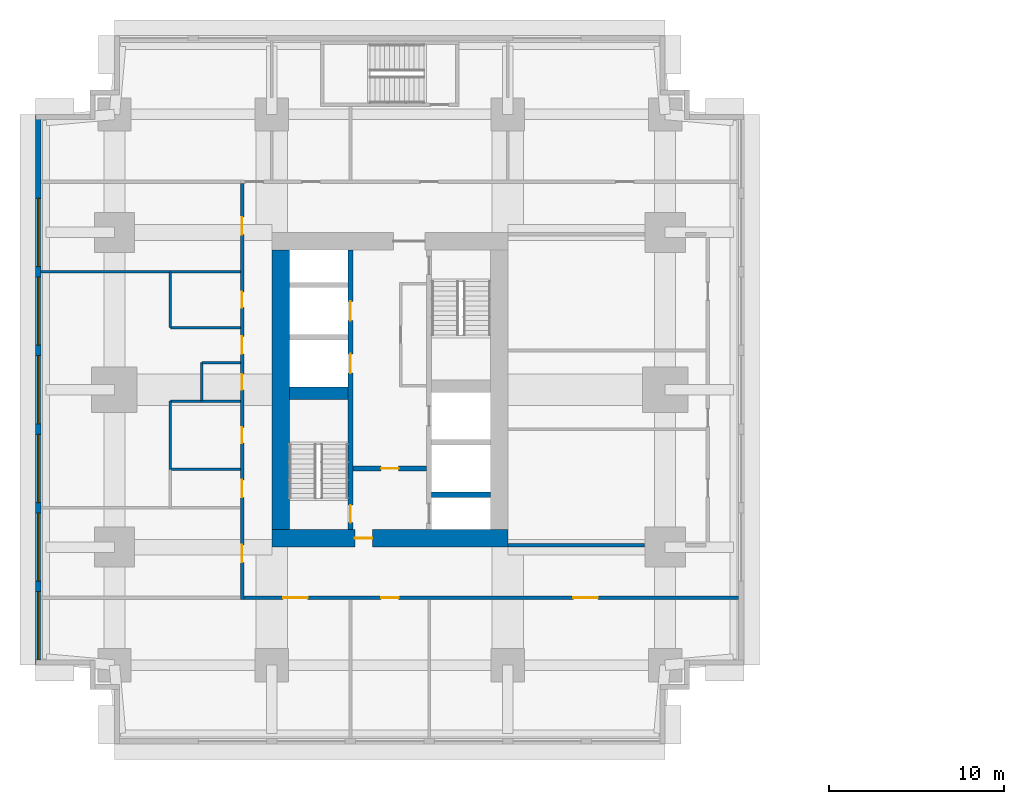
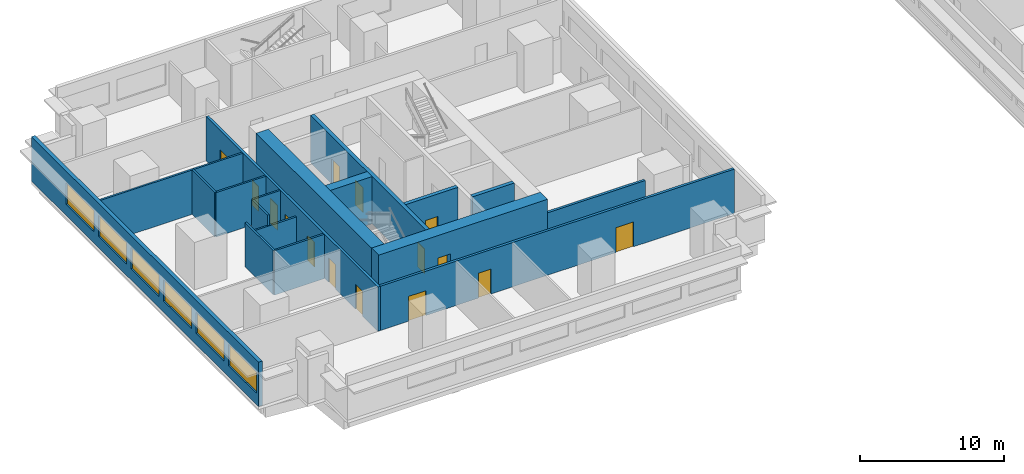
# One storey, part 3 of 11: 18 walls, 15 doors, 6 windows, 21 openings.
"""IFC4 building model written with IfcOpenShell, lengths in metres."""

from ifc_helpers import new_model, si_unit, direction, frame, frame_2d, origin, place, context, subcontext, project, spatial, rectangle, extrude, material, layer, layer_set, type_object, element, fill, save


model = new_model("IFC4")

# Units and contexts
model_context = context("Model", 3, precision=1e-05, world=origin(), true_north=direction((0.0, 1.0)))
body_context = subcontext(model_context, "Body", "Model", "MODEL_VIEW")
ifc_project = project(units=[si_unit("LENGTHUNIT", "METRE"), si_unit("AREAUNIT", "SQUARE_METRE"), si_unit("VOLUMEUNIT", "CUBIC_METRE"), si_unit("PLANEANGLEUNIT", "RADIAN"), si_unit("MASSUNIT", "GRAM", prefix="KILO")], contexts=[model_context])

# Site, building, storey
site_placement = place(None, origin())
site = spatial("IfcSite", under=ifc_project, at=site_placement, CompositionType="ELEMENT")
building_placement = place(site_placement, origin())
building = spatial("IfcBuilding", under=site, at=building_placement, Name="Namib Vertical Campus", CompositionType="ELEMENT")
storey_placement = place(building_placement, frame((0.0, 0.0, 97.0)))
storey = spatial("IfcBuildingStorey", under=building, at=storey_placement, Name="L22", CompositionType="ELEMENT", Elevation=97.0)

# Wall, openings, doors
ifc_material_1 = material(Name="Concrete C60/75", Category="concrete")
ifc_layer_1 = layer(ifc_material_1, 0.300048828125)
ifc_layer_set_1 = layer_set([ifc_layer_1], Name="Concrete C60/75")
wall_type_1 = type_object("IfcWallType", Name="Core inner wall 300", PredefinedType="SHEAR", material=ifc_layer_set_1)
wall_1_placement = place(storey_placement, frame((18.0, 12.25, 0.0), z_axis=(0.0, 0.0, 1.0), x_axis=(0.0, 1.0, 0.0)))
wall_1 = element("IfcWall", 1, at=wall_1_placement, inside=storey, type_object=wall_type_1, Name="Core inner wall A L22 W1", PredefinedType="SHEAR", context=body_context, shape_type="SweptSolid", body=[
    extrude(rectangle(XDim=16.0, YDim=0.300048828125, at=frame_2d((8.0, 0.0))), origin(), (0.0, 0.0, 1.0), 4.0),
])
opening_1_placement = place(wall_1_placement, frame((0.39990234375, 0.0, 0.0)))
opening_1 = element("IfcOpeningElement", 2, at=opening_1_placement, cuts=wall_1, Name="Opening FD1", PredefinedType="OPENING", context=body_context, shape_type="SweptSolid", body=[
    extrude(rectangle(XDim=1.0, YDim=2.10009765625, at=frame_2d((0.5, 1.050048828125))), frame((0.0, 0.159912109375, 0.0), z_axis=(0.0, -1.0, 0.0), x_axis=(1.0, 0.0, 0.0)), (0.0, 0.0, 1.0), 0.320068359375),
])
opening_2_placement = place(wall_1_placement, frame((8.949951171875, 0.0, 0.0)))
opening_2 = element("IfcOpeningElement", 3, at=opening_2_placement, cuts=wall_1, Name="Opening LD1", PredefinedType="OPENING", context=body_context, shape_type="SweptSolid", body=[
    extrude(rectangle(XDim=1.10009765625, YDim=2.10009765625, at=frame_2d((0.550048828125, 1.050048828125))), frame((0.0, 0.159912109375, 0.0), z_axis=(0.0, -1.0, 0.0), x_axis=(1.0, 0.0, 0.0)), (0.0, 0.0, 1.0), 0.320068359375),
])
opening_3_placement = place(wall_1_placement, frame((11.949951171875, 0.0, 0.0)))
opening_3 = element("IfcOpeningElement", 4, at=opening_3_placement, cuts=wall_1, Name="Opening LD1", PredefinedType="OPENING", context=body_context, shape_type="SweptSolid", body=[
    extrude(rectangle(XDim=1.10009765625, YDim=2.10009765625, at=frame_2d((0.550048828125, 1.050048828125))), frame((0.0, 0.159912109375, 0.0), z_axis=(0.0, -1.0, 0.0), x_axis=(1.0, 0.0, 0.0)), (0.0, 0.0, 1.0), 0.320068359375),
])
ifc_material_2 = material(Name="Steel fire door", Category="steel")
door_type_1 = type_object("IfcDoorType", Name="Fire door 1000x2100", OperationType="SINGLE_SWING_RIGHT", PredefinedType="DOOR", material=ifc_material_2)
door_1_placement = place(opening_1_placement, origin())
door_1 = element("IfcDoor", 5, at=door_1_placement, inside=storey, type_object=door_type_1, Name="Stair door FD1 A L22 S1", OperationType="SINGLE_SWING_LEFT", OverallHeight=2.10009765625, OverallWidth=1.0, PredefinedType="DOOR", context=body_context, shape_type="SweptSolid", body=[
    extrude(rectangle(XDim=1.0, YDim=2.10009765625, at=frame_2d((0.5, 1.050048828125))), frame((0.0, 0.02490234375, 0.0), z_axis=(0.0, -1.0, 0.0), x_axis=(1.0, 0.0, 0.0)), (0.0, 0.0, 1.0), 0.050048828125),
])
fill(opening_1, door_1)
ifc_material_3 = material(Name="Stainless steel lift door", Category="steel")
door_type_2 = type_object("IfcDoorType", Name="Lift landing door 1100x2100", OperationType="DOUBLE_DOOR_SLIDING", PredefinedType="DOOR", material=ifc_material_3)
door_2_placement = place(opening_2_placement, origin())
door_2 = element("IfcDoor", 6, at=door_2_placement, inside=storey, type_object=door_type_2, Name="Lift landing door LD1 A-P1 L22", OperationType="DOUBLE_DOOR_SLIDING", OverallHeight=2.10009765625, OverallWidth=1.10009765625, PredefinedType="DOOR", context=body_context, shape_type="SweptSolid", body=[
    extrude(rectangle(XDim=1.10009765625, YDim=2.10009765625, at=frame_2d((0.550048828125, 1.050048828125))), frame((0.0, 0.02490234375, 0.0), z_axis=(0.0, -1.0, 0.0), x_axis=(1.0, 0.0, 0.0)), (0.0, 0.0, 1.0), 0.050048828125),
])
fill(opening_2, door_2)
door_3_placement = place(opening_3_placement, origin())
door_3 = element("IfcDoor", 7, at=door_3_placement, inside=storey, type_object=door_type_2, Name="Lift landing door LD1 A-P2 L22", OperationType="DOUBLE_DOOR_SLIDING", OverallHeight=2.10009765625, OverallWidth=1.10009765625, PredefinedType="DOOR", context=body_context, shape_type="SweptSolid", body=[
    extrude(rectangle(XDim=1.10009765625, YDim=2.10009765625, at=frame_2d((0.550048828125, 1.050048828125))), frame((0.0, 0.02490234375, 0.0), z_axis=(0.0, -1.0, 0.0), x_axis=(1.0, 0.0, 0.0)), (0.0, 0.0, 1.0), 0.050048828125),
])
fill(opening_3, door_3)

# Wall, opening, door
wall_2_placement = place(storey_placement, frame((18.14990234375, 15.75, 0.0), z_axis=(0.0, 0.0, 1.0), x_axis=(1.0, 0.0, 0.0)))
wall_2 = element("IfcWall", 8, at=wall_2_placement, inside=storey, type_object=wall_type_1, Name="Core inner wall A L22 W4", PredefinedType="SHEAR", context=body_context, shape_type="SweptSolid", body=[
    extrude(rectangle(XDim=4.2001953125, YDim=0.300048828125, at=frame_2d((2.10009765625, 0.0))), origin(), (0.0, 0.0, 1.0), 4.0),
])
opening_4_placement = place(wall_2_placement, frame((1.60009765625, 0.0, 0.0)))
opening_4 = element("IfcOpeningElement", 9, at=opening_4_placement, cuts=wall_2, Name="Opening FD5", PredefinedType="OPENING", context=body_context, shape_type="SweptSolid", body=[
    extrude(rectangle(XDim=1.0, YDim=2.10009765625, at=frame_2d((0.5, 1.050048828125))), frame((0.0, 0.159912109375, 0.0), z_axis=(0.0, -1.0, 0.0), x_axis=(1.0, 0.0, 0.0)), (0.0, 0.0, 1.0), 0.320068359375),
])
ifc_material_4 = material(Name="Steel fire door", Category="steel")
door_type_3 = type_object("IfcDoorType", Name="Fire door 1000x2100 120 min", OperationType="SINGLE_SWING_RIGHT", PredefinedType="DOOR", material=ifc_material_4)
door_4_placement = place(opening_4_placement, frame((1.0, 0.0, 0.0), z_axis=(0.0, 0.0, 1.0), x_axis=(-1.0, 0.0, 0.0)))
door_4 = element("IfcDoor", 10, at=door_4_placement, inside=storey, type_object=door_type_3, Name="Lobby door FD5 A L22", OperationType="SINGLE_SWING_RIGHT", OverallHeight=2.10009765625, OverallWidth=1.0, PredefinedType="DOOR", context=body_context, shape_type="SweptSolid", body=[
    extrude(rectangle(XDim=1.0, YDim=2.10009765625, at=frame_2d((0.5, 1.050048828125))), frame((0.0, 0.02490234375, 0.0), z_axis=(0.0, -1.0, 0.0), x_axis=(1.0, 0.0, 0.0)), (0.0, 0.0, 1.0), 0.050048828125),
])
fill(opening_4, door_4)

# Walls
wall_3_placement = place(storey_placement, frame((22.64990234375, 14.25, 0.0), z_axis=(0.0, 0.0, 1.0), x_axis=(1.0, 0.0, 0.0)))
element("IfcWall", 11, at=wall_3_placement, inside=storey, type_object=wall_type_1, Name="Core inner wall A L22 W5", PredefinedType="SHEAR", context=body_context, shape_type="SweptSolid", body=[
    extrude(rectangle(XDim=3.35009765625, YDim=0.300048828125, at=frame_2d((1.675048828125, 0.0))), origin(), (0.0, 0.0, 1.0), 4.0),
])
ifc_material_5 = material(Name="Concrete C60/75", Category="concrete")
ifc_layer_2 = layer(ifc_material_5, 0.699951171875)
ifc_layer_set_2 = layer_set([ifc_layer_2], Name="Concrete C60/75")
wall_type_2 = type_object("IfcWallType", Name="Core shear wall 700", PredefinedType="SHEAR", material=ifc_layer_set_2)
wall_4_placement = place(storey_placement, frame((14.5, 20.050048828125, 0.0), z_axis=(0.0, 0.0, 1.0), x_axis=(1.0, 0.0, 0.0)))
element("IfcWall", 12, at=wall_4_placement, inside=storey, type_object=wall_type_2, Name="Core shear wall A L22 W3", PredefinedType="SHEAR", context=body_context, shape_type="SweptSolid", body=[
    extrude(rectangle(XDim=3.35009765625, YDim=0.699951171875, at=frame_2d((1.675048828125, 0.0))), origin(), (0.0, 0.0, 1.0), 4.0),
])

# Wall, opening, door
ifc_material_6 = material(Name="Concrete C60/75", Category="concrete")
ifc_layer_3 = layer(ifc_material_6, 1.0)
ifc_layer_set_3 = layer_set([ifc_layer_3], Name="Concrete C60/75")
wall_type_3 = type_object("IfcWallType", Name="Core wall 1000", PredefinedType="SHEAR", material=ifc_layer_set_3)
wall_5_placement = place(storey_placement, frame((13.5, 11.75, 0.0), z_axis=(0.0, 0.0, 1.0), x_axis=(1.0, 0.0, 0.0)))
wall_5 = element("IfcWall", 13, at=wall_5_placement, inside=storey, type_object=wall_type_3, Name="Core wall A L22 1", PredefinedType="SHEAR", context=body_context, shape_type="SweptSolid", body=[
    extrude(rectangle(XDim=13.5, YDim=1.0, at=frame_2d((6.75, 0.0))), origin(), (0.0, 0.0, 1.0), 4.0),
])
opening_5_placement = place(wall_5_placement, frame((4.75, 0.0, 0.0)))
opening_5 = element("IfcOpeningElement", 14, at=opening_5_placement, cuts=wall_5, Name="Opening FD5", PredefinedType="OPENING", context=body_context, shape_type="SweptSolid", body=[
    extrude(rectangle(XDim=1.0, YDim=2.10009765625, at=frame_2d((0.5, 1.050048828125))), frame((0.0, 0.510009765625, 0.0), z_axis=(0.0, -1.0, 0.0), x_axis=(1.0, 0.0, 0.0)), (0.0, 0.0, 1.0), 1.02001953125),
])
door_5_placement = place(opening_5_placement, origin())
door_5 = element("IfcDoor", 15, at=door_5_placement, inside=storey, type_object=door_type_3, Name="Firefighting lobby door FD5 A L22", OperationType="SINGLE_SWING_LEFT", OverallHeight=2.10009765625, OverallWidth=1.0, PredefinedType="DOOR", context=body_context, shape_type="SweptSolid", body=[
    extrude(rectangle(XDim=1.0, YDim=2.10009765625, at=frame_2d((0.5, 1.050048828125))), frame((0.0, 0.02490234375, 0.0), z_axis=(0.0, -1.0, 0.0), x_axis=(1.0, 0.0, 0.0)), (0.0, 0.0, 1.0), 0.050048828125),
])
fill(opening_5, door_5)

# Wall
wall_6_placement = place(storey_placement, frame((14.0, 28.25, 0.0), z_axis=(0.0, 0.0, 1.0), x_axis=(0.0, -1.0, 0.0)))
element("IfcWall", 16, at=wall_6_placement, inside=storey, type_object=wall_type_3, Name="Core wall A L22 4", PredefinedType="SHEAR", context=body_context, shape_type="SweptSolid", body=[
    extrude(rectangle(XDim=16.0, YDim=1.0, at=frame_2d((8.0, 0.0))), origin(), (0.0, 0.0, 1.0), 4.0),
])

# Wall, openings, doors
ifc_material_7 = material(Name="Concrete masonry", Category="masonry")
ifc_layer_4 = layer(ifc_material_7, 0.199951171875)
ifc_layer_set_4 = layer_set([ifc_layer_4], Name="Corridor wall 200")
wall_type_4 = type_object("IfcWallType", Name="Corridor wall 200", PredefinedType="SOLIDWALL", material=ifc_layer_set_4)
wall_7_placement = place(storey_placement, frame((11.89990234375, 8.35009765625, 0.0), z_axis=(0.0, 0.0, 1.0), x_axis=(1.0, 0.0, 0.0)))
wall_7 = element("IfcWall", 17, at=wall_7_placement, inside=storey, type_object=wall_type_4, Name="Corridor wall A L22 CS", PredefinedType="SOLIDWALL", context=body_context, shape_type="SweptSolid", body=[
    extrude(rectangle(XDim=28.300048828125, YDim=0.199951171875, at=frame_2d((14.14990234375, 0.0))), origin(), (0.0, 0.0, 1.0), 3.75),
])
opening_6_placement = place(wall_7_placement, frame((2.25, 0.0, 0.0)))
opening_6 = element("IfcOpeningElement", 18, at=opening_6_placement, cuts=wall_7, Name="Opening LB1", PredefinedType="OPENING", context=body_context, shape_type="SweptSolid", body=[
    extrude(rectangle(XDim=1.39990234375, YDim=2.10009765625, at=frame_2d((0.699951171875, 1.050048828125))), frame((0.0, 0.10986328125, 0.0), z_axis=(0.0, -1.0, 0.0), x_axis=(1.0, 0.0, 0.0)), (0.0, 0.0, 1.0), 0.219970703125),
])
opening_7_placement = place(wall_7_placement, frame((7.85009765625, 0.0, 0.0)))
opening_7 = element("IfcOpeningElement", 19, at=opening_7_placement, cuts=wall_7, Name="Opening CD1", PredefinedType="OPENING", context=body_context, shape_type="SweptSolid", body=[
    extrude(rectangle(XDim=1.0, YDim=2.10009765625, at=frame_2d((0.5, 1.050048828125))), frame((0.0, 0.10986328125, 0.0), z_axis=(0.0, -1.0, 0.0), x_axis=(1.0, 0.0, 0.0)), (0.0, 0.0, 1.0), 0.219970703125),
])
opening_8_placement = place(wall_7_placement, frame((18.85009765625, 0.0, 0.0)))
opening_8 = element("IfcOpeningElement", 20, at=opening_8_placement, cuts=wall_7, Name="Opening LB1", PredefinedType="OPENING", context=body_context, shape_type="SweptSolid", body=[
    extrude(rectangle(XDim=1.39990234375, YDim=2.10009765625, at=frame_2d((0.699951171875, 1.050048828125))), frame((0.0, 0.10986328125, 0.0), z_axis=(0.0, -1.0, 0.0), x_axis=(1.0, 0.0, 0.0)), (0.0, 0.0, 1.0), 0.219970703125),
])
ifc_material_8 = material(Name="Timber fire door leaf", Category="wood")
door_type_4 = type_object("IfcDoorType", Name="Corridor door 1000x2100 20 min", OperationType="SINGLE_SWING_LEFT", PredefinedType="DOOR", material=ifc_material_8)
door_6_placement = place(opening_7_placement, frame((1.0, 0.0, 0.0), z_axis=(0.0, 0.0, 1.0), x_axis=(-1.0, 0.0, 0.0)))
door_6 = element("IfcDoor", 21, at=door_6_placement, inside=storey, type_object=door_type_4, Name="Door CD1 A22-02", OperationType="SINGLE_SWING_RIGHT", OverallHeight=2.10009765625, OverallWidth=1.0, PredefinedType="DOOR", context=body_context, shape_type="SweptSolid", body=[
    extrude(rectangle(XDim=1.0, YDim=2.10009765625, at=frame_2d((0.5, 1.050048828125))), frame((0.0, 0.02490234375, 0.0), z_axis=(0.0, -1.0, 0.0), x_axis=(1.0, 0.0, 0.0)), (0.0, 0.0, 1.0), 0.050048828125),
])
fill(opening_7, door_6)
ifc_material_9 = material(Name="Timber fire door leaf", Category="wood")
door_type_5 = type_object("IfcDoorType", Name="Laboratory door 1400x2100 leaf and a half", OperationType="DOUBLE_DOOR_SINGLE_SWING", PredefinedType="DOOR", material=ifc_material_9)
door_7_placement = place(opening_6_placement, frame((1.39990234375, 0.0, 0.0), z_axis=(0.0, 0.0, 1.0), x_axis=(-1.0, 0.0, 0.0)))
door_7 = element("IfcDoor", 22, at=door_7_placement, inside=storey, type_object=door_type_5, Name="Door LB1 A22-01", OperationType="DOUBLE_DOOR_SINGLE_SWING", OverallHeight=2.10009765625, OverallWidth=1.39990234375, PredefinedType="DOOR", context=body_context, shape_type="SweptSolid", body=[
    extrude(rectangle(XDim=1.39990234375, YDim=2.10009765625, at=frame_2d((0.699951171875, 1.050048828125))), frame((0.0, 0.02490234375, 0.0), z_axis=(0.0, -1.0, 0.0), x_axis=(1.0, 0.0, 0.0)), (0.0, 0.0, 1.0), 0.050048828125),
])
fill(opening_6, door_7)
door_8_placement = place(opening_8_placement, frame((1.39990234375, 0.0, 0.0), z_axis=(0.0, 0.0, 1.0), x_axis=(-1.0, 0.0, 0.0)))
door_8 = element("IfcDoor", 23, at=door_8_placement, inside=storey, type_object=door_type_5, Name="Door LB1 A22-03", OperationType="DOUBLE_DOOR_SINGLE_SWING", OverallHeight=2.10009765625, OverallWidth=1.39990234375, PredefinedType="DOOR", context=body_context, shape_type="SweptSolid", body=[
    extrude(rectangle(XDim=1.39990234375, YDim=2.10009765625, at=frame_2d((0.699951171875, 1.050048828125))), frame((0.0, 0.02490234375, 0.0), z_axis=(0.0, -1.0, 0.0), x_axis=(1.0, 0.0, 0.0)), (0.0, 0.0, 1.0), 0.050048828125),
])
fill(opening_8, door_8)

wall_8_placement = place(storey_placement, frame((11.800048828125, 32.050048828125, 0.0), z_axis=(0.0, 0.0, 1.0), x_axis=(0.0, -1.0, 0.0)))
wall_8 = element("IfcWall", 24, at=wall_8_placement, inside=storey, type_object=wall_type_4, Name="Corridor wall A L22 CW", PredefinedType="SOLIDWALL", context=body_context, shape_type="SweptSolid", body=[
    extrude(rectangle(XDim=23.800048828125, YDim=0.199951171875, at=frame_2d((11.89990234375, 0.0))), origin(), (0.0, 0.0, 1.0), 3.75),
])
opening_9_placement = place(wall_8_placement, frame((20.675048828125, 0.0, 0.0)))
opening_9 = element("IfcOpeningElement", 25, at=opening_9_placement, cuts=wall_8, Name="Opening CD1", PredefinedType="OPENING", context=body_context, shape_type="SweptSolid", body=[
    extrude(rectangle(XDim=1.0, YDim=2.10009765625, at=frame_2d((0.5, 1.050048828125))), frame((0.0, 0.10986328125, 0.0), z_axis=(0.0, -1.0, 0.0), x_axis=(1.0, 0.0, 0.0)), (0.0, 0.0, 1.0), 0.219970703125),
])
opening_10_placement = place(wall_8_placement, frame((16.949951171875, 0.0, 0.0)))
opening_10 = element("IfcOpeningElement", 26, at=opening_10_placement, cuts=wall_8, Name="Opening CD1", PredefinedType="OPENING", context=body_context, shape_type="SweptSolid", body=[
    extrude(rectangle(XDim=1.0, YDim=2.10009765625, at=frame_2d((0.5, 1.050048828125))), frame((0.0, 0.10986328125, 0.0), z_axis=(0.0, -1.0, 0.0), x_axis=(1.0, 0.0, 0.0)), (0.0, 0.0, 1.0), 0.219970703125),
])
opening_11_placement = place(wall_8_placement, frame((13.949951171875, 0.0, 0.0)))
opening_11 = element("IfcOpeningElement", 27, at=opening_11_placement, cuts=wall_8, Name="Opening CD3", PredefinedType="OPENING", context=body_context, shape_type="SweptSolid", body=[
    extrude(rectangle(XDim=0.89990234375, YDim=2.10009765625, at=frame_2d((0.449951171875, 1.050048828125))), frame((0.0, 0.10986328125, 0.0), z_axis=(0.0, -1.0, 0.0), x_axis=(1.0, 0.0, 0.0)), (0.0, 0.0, 1.0), 0.219970703125),
])
opening_12_placement = place(wall_8_placement, frame((10.89990234375, 0.0, 0.0)))
opening_12 = element("IfcOpeningElement", 28, at=opening_12_placement, cuts=wall_8, Name="Opening CD3", PredefinedType="OPENING", context=body_context, shape_type="SweptSolid", body=[
    extrude(rectangle(XDim=0.89990234375, YDim=2.10009765625, at=frame_2d((0.449951171875, 1.050048828125))), frame((0.0, 0.10986328125, 0.0), z_axis=(0.0, -1.0, 0.0), x_axis=(1.0, 0.0, 0.0)), (0.0, 0.0, 1.0), 0.219970703125),
])
opening_13_placement = place(wall_8_placement, frame((6.199951171875, 0.0, 0.0)))
opening_13 = element("IfcOpeningElement", 29, at=opening_13_placement, cuts=wall_8, Name="Opening CD3", PredefinedType="OPENING", context=body_context, shape_type="SweptSolid", body=[
    extrude(rectangle(XDim=0.89990234375, YDim=2.10009765625, at=frame_2d((0.449951171875, 1.050048828125))), frame((0.0, 0.10986328125, 0.0), z_axis=(0.0, -1.0, 0.0), x_axis=(1.0, 0.0, 0.0)), (0.0, 0.0, 1.0), 0.219970703125),
])
opening_14_placement = place(wall_8_placement, frame((8.75, 0.0, 0.0)))
opening_14 = element("IfcOpeningElement", 30, at=opening_14_placement, cuts=wall_8, Name="Opening CD1", PredefinedType="OPENING", context=body_context, shape_type="SweptSolid", body=[
    extrude(rectangle(XDim=1.0, YDim=2.10009765625, at=frame_2d((0.5, 1.050048828125))), frame((0.0, 0.10986328125, 0.0), z_axis=(0.0, -1.0, 0.0), x_axis=(1.0, 0.0, 0.0)), (0.0, 0.0, 1.0), 0.219970703125),
])
opening_15_placement = place(wall_8_placement, frame((1.925048828125, 0.0, 0.0)))
opening_15 = element("IfcOpeningElement", 31, at=opening_15_placement, cuts=wall_8, Name="Opening CD1", PredefinedType="OPENING", context=body_context, shape_type="SweptSolid", body=[
    extrude(rectangle(XDim=1.0, YDim=2.10009765625, at=frame_2d((0.5, 1.050048828125))), frame((0.0, 0.10986328125, 0.0), z_axis=(0.0, -1.0, 0.0), x_axis=(1.0, 0.0, 0.0)), (0.0, 0.0, 1.0), 0.219970703125),
])
door_9_placement = place(opening_9_placement, frame((1.0, 0.0, 0.0), z_axis=(0.0, 0.0, 1.0), x_axis=(-1.0, 0.0, 0.0)))
door_9 = element("IfcDoor", 32, at=door_9_placement, inside=storey, type_object=door_type_4, Name="Door CD1 A22-11", OperationType="SINGLE_SWING_RIGHT", OverallHeight=2.10009765625, OverallWidth=1.0, PredefinedType="DOOR", context=body_context, shape_type="SweptSolid", body=[
    extrude(rectangle(XDim=1.0, YDim=2.10009765625, at=frame_2d((0.5, 1.050048828125))), frame((0.0, 0.02490234375, 0.0), z_axis=(0.0, -1.0, 0.0), x_axis=(1.0, 0.0, 0.0)), (0.0, 0.0, 1.0), 0.050048828125),
])
fill(opening_9, door_9)
door_10_placement = place(opening_10_placement, frame((1.0, 0.0, 0.0), z_axis=(0.0, 0.0, 1.0), x_axis=(-1.0, 0.0, 0.0)))
door_10 = element("IfcDoor", 33, at=door_10_placement, inside=storey, type_object=door_type_4, Name="Door CD1 A22-12", OperationType="SINGLE_SWING_RIGHT", OverallHeight=2.10009765625, OverallWidth=1.0, PredefinedType="DOOR", context=body_context, shape_type="SweptSolid", body=[
    extrude(rectangle(XDim=1.0, YDim=2.10009765625, at=frame_2d((0.5, 1.050048828125))), frame((0.0, 0.02490234375, 0.0), z_axis=(0.0, -1.0, 0.0), x_axis=(1.0, 0.0, 0.0)), (0.0, 0.0, 1.0), 0.050048828125),
])
fill(opening_10, door_10)
door_11_placement = place(opening_14_placement, frame((1.0, 0.0, 0.0), z_axis=(0.0, 0.0, 1.0), x_axis=(-1.0, 0.0, 0.0)))
door_11 = element("IfcDoor", 34, at=door_11_placement, inside=storey, type_object=door_type_4, Name="Door CD1 A22-16", OperationType="SINGLE_SWING_RIGHT", OverallHeight=2.10009765625, OverallWidth=1.0, PredefinedType="DOOR", context=body_context, shape_type="SweptSolid", body=[
    extrude(rectangle(XDim=1.0, YDim=2.10009765625, at=frame_2d((0.5, 1.050048828125))), frame((0.0, 0.02490234375, 0.0), z_axis=(0.0, -1.0, 0.0), x_axis=(1.0, 0.0, 0.0)), (0.0, 0.0, 1.0), 0.050048828125),
])
fill(opening_14, door_11)
door_12_placement = place(opening_15_placement, frame((1.0, 0.0, 0.0), z_axis=(0.0, 0.0, 1.0), x_axis=(-1.0, 0.0, 0.0)))
door_12 = element("IfcDoor", 35, at=door_12_placement, inside=storey, type_object=door_type_4, Name="Door CD1 A22-17", OperationType="SINGLE_SWING_RIGHT", OverallHeight=2.10009765625, OverallWidth=1.0, PredefinedType="DOOR", context=body_context, shape_type="SweptSolid", body=[
    extrude(rectangle(XDim=1.0, YDim=2.10009765625, at=frame_2d((0.5, 1.050048828125))), frame((0.0, 0.02490234375, 0.0), z_axis=(0.0, -1.0, 0.0), x_axis=(1.0, 0.0, 0.0)), (0.0, 0.0, 1.0), 0.050048828125),
])
fill(opening_15, door_12)
ifc_material_10 = material(Name="Timber fire door leaf", Category="wood")
door_type_6 = type_object("IfcDoorType", Name="Corridor toilet door 900x2100 20 min", OperationType="SINGLE_SWING_LEFT", PredefinedType="DOOR", material=ifc_material_10)
door_13_placement = place(opening_11_placement, frame((0.89990234375, 0.0, 0.0), z_axis=(0.0, 0.0, 1.0), x_axis=(-1.0, 0.0, 0.0)))
door_13 = element("IfcDoor", 36, at=door_13_placement, inside=storey, type_object=door_type_6, Name="Door CD3 A22-13", OperationType="SINGLE_SWING_RIGHT", OverallHeight=2.10009765625, OverallWidth=0.89990234375, PredefinedType="DOOR", context=body_context, shape_type="SweptSolid", body=[
    extrude(rectangle(XDim=0.89990234375, YDim=2.10009765625, at=frame_2d((0.449951171875, 1.050048828125))), frame((0.0, 0.02490234375, 0.0), z_axis=(0.0, -1.0, 0.0), x_axis=(1.0, 0.0, 0.0)), (0.0, 0.0, 1.0), 0.050048828125),
])
fill(opening_11, door_13)
door_14_placement = place(opening_12_placement, frame((0.89990234375, 0.0, 0.0), z_axis=(0.0, 0.0, 1.0), x_axis=(-1.0, 0.0, 0.0)))
door_14 = element("IfcDoor", 37, at=door_14_placement, inside=storey, type_object=door_type_6, Name="Door CD3 A22-14", OperationType="SINGLE_SWING_RIGHT", OverallHeight=2.10009765625, OverallWidth=0.89990234375, PredefinedType="DOOR", context=body_context, shape_type="SweptSolid", body=[
    extrude(rectangle(XDim=0.89990234375, YDim=2.10009765625, at=frame_2d((0.449951171875, 1.050048828125))), frame((0.0, 0.02490234375, 0.0), z_axis=(0.0, -1.0, 0.0), x_axis=(1.0, 0.0, 0.0)), (0.0, 0.0, 1.0), 0.050048828125),
])
fill(opening_12, door_14)
door_15_placement = place(opening_13_placement, frame((0.89990234375, 0.0, 0.0), z_axis=(0.0, 0.0, 1.0), x_axis=(-1.0, 0.0, 0.0)))
door_15 = element("IfcDoor", 38, at=door_15_placement, inside=storey, type_object=door_type_6, Name="Door CD3 A22-15", OperationType="SINGLE_SWING_RIGHT", OverallHeight=2.10009765625, OverallWidth=0.89990234375, PredefinedType="DOOR", context=body_context, shape_type="SweptSolid", body=[
    extrude(rectangle(XDim=0.89990234375, YDim=2.10009765625, at=frame_2d((0.449951171875, 1.050048828125))), frame((0.0, 0.02490234375, 0.0), z_axis=(0.0, -1.0, 0.0), x_axis=(1.0, 0.0, 0.0)), (0.0, 0.0, 1.0), 0.050048828125),
])
fill(opening_13, door_15)

# Wall
wall_9_placement = place(storey_placement, frame((27.0, 11.35009765625, 0.0), z_axis=(0.0, 0.0, 1.0), x_axis=(1.0, 0.0, 0.0)))
element("IfcWall", 39, at=wall_9_placement, inside=storey, type_object=wall_type_4, Name="Corridor wall A L22 GS", PredefinedType="SOLIDWALL", context=body_context, shape_type="SweptSolid", body=[
    extrude(rectangle(XDim=7.830078125, YDim=0.199951171875, at=frame_2d((3.9150390625, 0.0))), origin(), (0.0, 0.0, 1.0), 2.85009765625),
])

# Wall, openings, windows
ifc_material_11 = material(Name="Concrete C40/50", Category="concrete")
ifc_layer_5 = layer(ifc_material_11, 0.300048828125)
ifc_layer_set_5 = layer_set([ifc_layer_5], Name="Concrete C40/50")
wall_type_5 = type_object("IfcWallType", Name="External wall 300 board-marked concrete", PredefinedType="STANDARD", material=ifc_layer_set_5)
wall_10_placement = place(storey_placement, frame((0.14990234375, 35.97998046875, 0.0), z_axis=(0.0, 0.0, 1.0), x_axis=(0.0, -1.0, 0.0)))
wall_10 = element("IfcWall", 40, at=wall_10_placement, inside=storey, type_object=wall_type_5, Name="External wall L22 F16", PredefinedType="STANDARD", context=body_context, shape_type="SweptSolid", body=[
    extrude(rectangle(XDim=31.4599609375, YDim=0.300048828125, at=frame_2d((15.72998046875, 0.0))), origin(), (0.0, 0.0, 1.0), 3.75),
])
opening_16_placement = place(wall_10_placement, frame((27.280029296875, 0.0, 0.949951171875)))
opening_16 = element("IfcOpeningElement", 41, at=opening_16_placement, cuts=wall_10, Name="Opening W3", PredefinedType="OPENING", context=body_context, shape_type="SweptSolid", body=[
    extrude(rectangle(XDim=3.89990234375, YDim=1.800048828125, at=frame_2d((1.949951171875, 0.89990234375))), frame((0.0, 0.159912109375, 0.0), z_axis=(0.0, -1.0, 0.0), x_axis=(1.0, 0.0, 0.0)), (0.0, 0.0, 1.0), 0.320068359375),
])
opening_17_placement = place(wall_10_placement, frame((22.780029296875, 0.0, 0.949951171875)))
opening_17 = element("IfcOpeningElement", 42, at=opening_17_placement, cuts=wall_10, Name="Opening W3", PredefinedType="OPENING", context=body_context, shape_type="SweptSolid", body=[
    extrude(rectangle(XDim=3.89990234375, YDim=1.800048828125, at=frame_2d((1.949951171875, 0.89990234375))), frame((0.0, 0.159912109375, 0.0), z_axis=(0.0, -1.0, 0.0), x_axis=(1.0, 0.0, 0.0)), (0.0, 0.0, 1.0), 0.320068359375),
])
opening_18_placement = place(wall_10_placement, frame((18.280029296875, 0.0, 0.949951171875)))
opening_18 = element("IfcOpeningElement", 43, at=opening_18_placement, cuts=wall_10, Name="Opening W3", PredefinedType="OPENING", context=body_context, shape_type="SweptSolid", body=[
    extrude(rectangle(XDim=3.89990234375, YDim=1.800048828125, at=frame_2d((1.949951171875, 0.89990234375))), frame((0.0, 0.159912109375, 0.0), z_axis=(0.0, -1.0, 0.0), x_axis=(1.0, 0.0, 0.0)), (0.0, 0.0, 1.0), 0.320068359375),
])
opening_19_placement = place(wall_10_placement, frame((13.780029296875, 0.0, 0.949951171875)))
opening_19 = element("IfcOpeningElement", 44, at=opening_19_placement, cuts=wall_10, Name="Opening W3", PredefinedType="OPENING", context=body_context, shape_type="SweptSolid", body=[
    extrude(rectangle(XDim=3.89990234375, YDim=1.800048828125, at=frame_2d((1.949951171875, 0.89990234375))), frame((0.0, 0.159912109375, 0.0), z_axis=(0.0, -1.0, 0.0), x_axis=(1.0, 0.0, 0.0)), (0.0, 0.0, 1.0), 0.320068359375),
])
opening_20_placement = place(wall_10_placement, frame((9.280029296875, 0.0, 0.949951171875)))
opening_20 = element("IfcOpeningElement", 45, at=opening_20_placement, cuts=wall_10, Name="Opening W3", PredefinedType="OPENING", context=body_context, shape_type="SweptSolid", body=[
    extrude(rectangle(XDim=3.89990234375, YDim=1.800048828125, at=frame_2d((1.949951171875, 0.89990234375))), frame((0.0, 0.159912109375, 0.0), z_axis=(0.0, -1.0, 0.0), x_axis=(1.0, 0.0, 0.0)), (0.0, 0.0, 1.0), 0.320068359375),
])
opening_21_placement = place(wall_10_placement, frame((4.780029296875, 0.0, 0.949951171875)))
opening_21 = element("IfcOpeningElement", 46, at=opening_21_placement, cuts=wall_10, Name="Opening W3", PredefinedType="OPENING", context=body_context, shape_type="SweptSolid", body=[
    extrude(rectangle(XDim=3.89990234375, YDim=1.800048828125, at=frame_2d((1.949951171875, 0.89990234375))), frame((0.0, 0.159912109375, 0.0), z_axis=(0.0, -1.0, 0.0), x_axis=(1.0, 0.0, 0.0)), (0.0, 0.0, 1.0), 0.320068359375),
])
ifc_material_12 = material(Name="Dark tinted glass in black aluminium frame", Category="aluminium")
window_type = type_object("IfcWindowType", Name="Ribbon window 3900x1800", PartitioningType="SINGLE_PANEL", PredefinedType="WINDOW", material=ifc_material_12)
window_1_placement = place(opening_16_placement, origin())
window_1 = element("IfcWindow", 47, at=window_1_placement, inside=storey, type_object=window_type, Name="Window W3 L22 F16-1", OverallHeight=1.800048828125, OverallWidth=3.89990234375, PartitioningType="SINGLE_PANEL", PredefinedType="WINDOW", context=body_context, shape_type="SweptSolid", body=[
    extrude(rectangle(XDim=3.89990234375, YDim=1.800048828125, at=frame_2d((1.949951171875, 0.89990234375))), frame((0.0, 0.030029296875, 0.0), z_axis=(0.0, -1.0, 0.0), x_axis=(1.0, 0.0, 0.0)), (0.0, 0.0, 1.0), 0.06005859375),
])
fill(opening_16, window_1)
window_2_placement = place(opening_17_placement, origin())
window_2 = element("IfcWindow", 48, at=window_2_placement, inside=storey, type_object=window_type, Name="Window W3 L22 F16-2", OverallHeight=1.800048828125, OverallWidth=3.89990234375, PartitioningType="SINGLE_PANEL", PredefinedType="WINDOW", context=body_context, shape_type="SweptSolid", body=[
    extrude(rectangle(XDim=3.89990234375, YDim=1.800048828125, at=frame_2d((1.949951171875, 0.89990234375))), frame((0.0, 0.030029296875, 0.0), z_axis=(0.0, -1.0, 0.0), x_axis=(1.0, 0.0, 0.0)), (0.0, 0.0, 1.0), 0.06005859375),
])
fill(opening_17, window_2)
window_3_placement = place(opening_18_placement, origin())
window_3 = element("IfcWindow", 49, at=window_3_placement, inside=storey, type_object=window_type, Name="Window W3 L22 F16-3", OverallHeight=1.800048828125, OverallWidth=3.89990234375, PartitioningType="SINGLE_PANEL", PredefinedType="WINDOW", context=body_context, shape_type="SweptSolid", body=[
    extrude(rectangle(XDim=3.89990234375, YDim=1.800048828125, at=frame_2d((1.949951171875, 0.89990234375))), frame((0.0, 0.030029296875, 0.0), z_axis=(0.0, -1.0, 0.0), x_axis=(1.0, 0.0, 0.0)), (0.0, 0.0, 1.0), 0.06005859375),
])
fill(opening_18, window_3)
window_4_placement = place(opening_19_placement, origin())
window_4 = element("IfcWindow", 50, at=window_4_placement, inside=storey, type_object=window_type, Name="Window W3 L22 F16-4", OverallHeight=1.800048828125, OverallWidth=3.89990234375, PartitioningType="SINGLE_PANEL", PredefinedType="WINDOW", context=body_context, shape_type="SweptSolid", body=[
    extrude(rectangle(XDim=3.89990234375, YDim=1.800048828125, at=frame_2d((1.949951171875, 0.89990234375))), frame((0.0, 0.030029296875, 0.0), z_axis=(0.0, -1.0, 0.0), x_axis=(1.0, 0.0, 0.0)), (0.0, 0.0, 1.0), 0.06005859375),
])
fill(opening_19, window_4)
window_5_placement = place(opening_20_placement, origin())
window_5 = element("IfcWindow", 51, at=window_5_placement, inside=storey, type_object=window_type, Name="Window W3 L22 F16-5", OverallHeight=1.800048828125, OverallWidth=3.89990234375, PartitioningType="SINGLE_PANEL", PredefinedType="WINDOW", context=body_context, shape_type="SweptSolid", body=[
    extrude(rectangle(XDim=3.89990234375, YDim=1.800048828125, at=frame_2d((1.949951171875, 0.89990234375))), frame((0.0, 0.030029296875, 0.0), z_axis=(0.0, -1.0, 0.0), x_axis=(1.0, 0.0, 0.0)), (0.0, 0.0, 1.0), 0.06005859375),
])
fill(opening_20, window_5)
window_6_placement = place(opening_21_placement, origin())
window_6 = element("IfcWindow", 52, at=window_6_placement, inside=storey, type_object=window_type, Name="Window W3 L22 F16-6", OverallHeight=1.800048828125, OverallWidth=3.89990234375, PartitioningType="SINGLE_PANEL", PredefinedType="WINDOW", context=body_context, shape_type="SweptSolid", body=[
    extrude(rectangle(XDim=3.89990234375, YDim=1.800048828125, at=frame_2d((1.949951171875, 0.89990234375))), frame((0.0, 0.030029296875, 0.0), z_axis=(0.0, -1.0, 0.0), x_axis=(1.0, 0.0, 0.0)), (0.0, 0.0, 1.0), 0.06005859375),
])
fill(opening_21, window_6)

# Walls
ifc_material_13 = material(Name="Gypsum board on steel studs", Category="steel")
ifc_layer_6 = layer(ifc_material_13, 0.14990234375)
ifc_layer_set_6 = layer_set([ifc_layer_6], Name="Gypsum board on steel studs")
wall_type_6 = type_object("IfcWallType", Name="Partition 150", PredefinedType="PARTITIONING", material=ifc_layer_set_6)
wall_11_placement = place(storey_placement, frame((0.300048828125, 27.0, 0.0), z_axis=(0.0, 0.0, 1.0), x_axis=(1.0, 0.0, 0.0)))
element("IfcWall", 53, at=wall_11_placement, inside=storey, type_object=wall_type_6, Name="Partition A L22 PW2", PredefinedType="PARTITIONING", context=body_context, shape_type="SweptSolid", body=[
    extrude(rectangle(XDim=11.39990234375, YDim=0.14990234375, at=frame_2d((5.699951171875, 0.0))), origin(), (0.0, 0.0, 1.0), 3.75),
])
wall_12_placement = place(storey_placement, frame((11.699951171875, 15.699951171875, 0.0), z_axis=(0.0, 0.0, 1.0), x_axis=(-1.0, 0.0, 0.0)))
element("IfcWall", 54, at=wall_12_placement, inside=storey, type_object=wall_type_6, Name="Partition A L22 WR1", PredefinedType="PARTITIONING", context=body_context, shape_type="SweptSolid", body=[
    extrude(rectangle(XDim=4.0, YDim=0.14990234375, at=frame_2d((2.0, 0.0))), origin(), (0.0, 0.0, 1.0), 3.75),
])
wall_13_placement = place(storey_placement, frame((11.699951171875, 19.60009765625, 0.0), z_axis=(0.0, 0.0, 1.0), x_axis=(-1.0, 0.0, 0.0)))
element("IfcWall", 55, at=wall_13_placement, inside=storey, type_object=wall_type_6, Name="Partition A L22 WR2", PredefinedType="PARTITIONING", context=body_context, shape_type="SweptSolid", body=[
    extrude(rectangle(XDim=4.0, YDim=0.14990234375, at=frame_2d((2.0, 0.0))), origin(), (0.0, 0.0, 1.0), 2.85009765625),
])
wall_14_placement = place(storey_placement, frame((11.699951171875, 21.800048828125, 0.0), z_axis=(0.0, 0.0, 1.0), x_axis=(-1.0, 0.0, 0.0)))
element("IfcWall", 56, at=wall_14_placement, inside=storey, type_object=wall_type_6, Name="Partition A L22 WR3", PredefinedType="PARTITIONING", context=body_context, shape_type="SweptSolid", body=[
    extrude(rectangle(XDim=2.199951171875, YDim=0.14990234375, at=frame_2d((1.10009765625, 0.0))), origin(), (0.0, 0.0, 1.0), 3.75),
])
wall_15_placement = place(storey_placement, frame((11.699951171875, 23.800048828125, 0.0), z_axis=(0.0, 0.0, 1.0), x_axis=(-1.0, 0.0, 0.0)))
element("IfcWall", 57, at=wall_15_placement, inside=storey, type_object=wall_type_6, Name="Partition A L22 WR4", PredefinedType="PARTITIONING", context=body_context, shape_type="SweptSolid", body=[
    extrude(rectangle(XDim=4.0, YDim=0.14990234375, at=frame_2d((2.0, 0.0))), origin(), (0.0, 0.0, 1.0), 3.75),
])
wall_16_placement = place(storey_placement, frame((7.699951171875, 15.699951171875, 0.0), z_axis=(0.0, 0.0, 1.0), x_axis=(0.0, 1.0, 0.0)))
element("IfcWall", 58, at=wall_16_placement, inside=storey, type_object=wall_type_6, Name="Partition A L22 WB2", PredefinedType="PARTITIONING", context=body_context, shape_type="SweptSolid", body=[
    extrude(rectangle(XDim=3.900146484375, YDim=0.14990234375, at=frame_2d((1.9501953125, 0.0))), origin(), (0.0, 0.0, 1.0), 3.75),
])
wall_17_placement = place(storey_placement, frame((9.5, 19.60009765625, 0.0), z_axis=(0.0, 0.0, 1.0), x_axis=(0.0, 1.0, 0.0)))
element("IfcWall", 59, at=wall_17_placement, inside=storey, type_object=wall_type_6, Name="Partition A L22 WB3", PredefinedType="PARTITIONING", context=body_context, shape_type="SweptSolid", body=[
    extrude(rectangle(XDim=2.199951171875, YDim=0.14990234375, at=frame_2d((1.10009765625, 0.0))), origin(), (0.0, 0.0, 1.0), 3.75),
])
wall_18_placement = place(storey_placement, frame((7.699951171875, 23.800048828125, 0.0), z_axis=(0.0, 0.0, 1.0), x_axis=(0.0, 1.0, 0.0)))
element("IfcWall", 60, at=wall_18_placement, inside=storey, type_object=wall_type_6, Name="Partition A L22 WB4", PredefinedType="PARTITIONING", context=body_context, shape_type="SweptSolid", body=[
    extrude(rectangle(XDim=3.199951171875, YDim=0.14990234375, at=frame_2d((1.60009765625, 0.0))), origin(), (0.0, 0.0, 1.0), 3.75),
])

save(model, "model.ifc")
